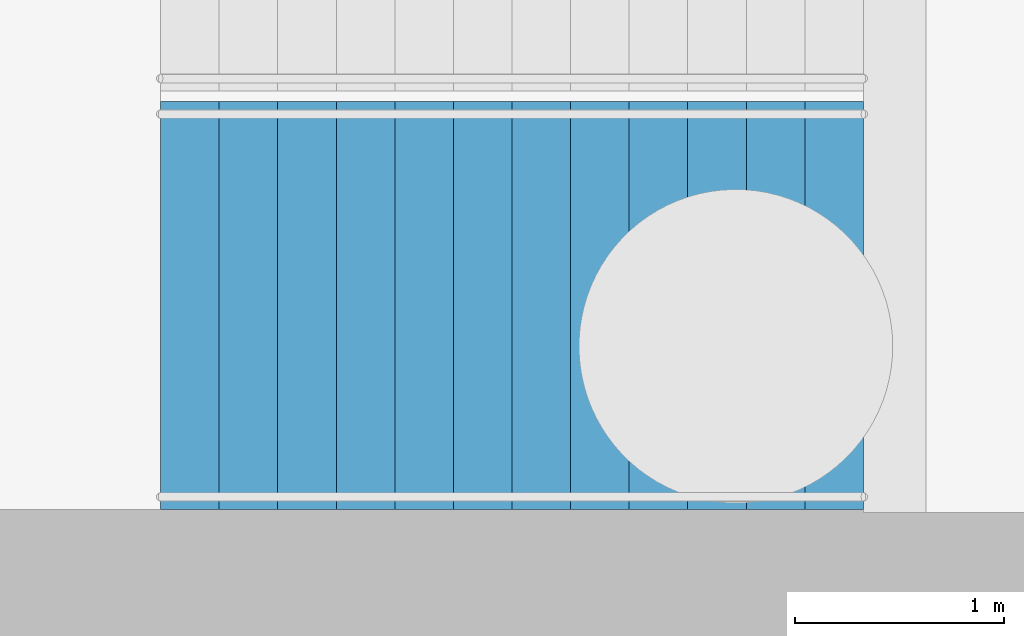
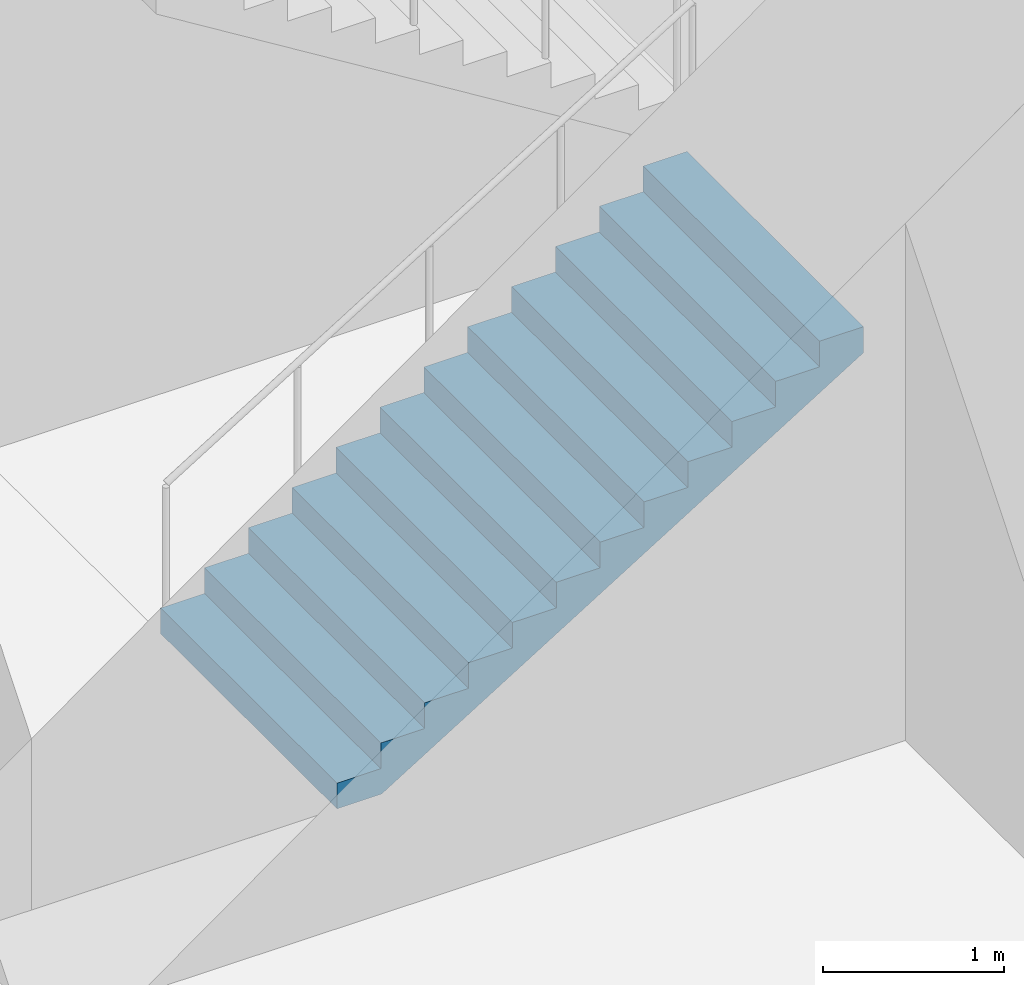
# One storey, part 9 of 28: 1 stair flight, 1 element without a shape of its own.
"""IFC4 building model written with IfcOpenShell, lengths in metres."""

from ifc_helpers import new_model, si_unit, direction, frame, origin, place, context, subcontext, project, spatial, triangles, material, type_object, element, aggregate, save


model = new_model("IFC4")

# Units and contexts
model_context = context("Model", 3, precision=1e-05, world=origin(), true_north=direction((0.0, 1.0)))
body_context = subcontext(model_context, "Body", "Model", "MODEL_VIEW")
ifc_project = project(units=[si_unit("LENGTHUNIT", "METRE"), si_unit("AREAUNIT", "SQUARE_METRE"), si_unit("VOLUMEUNIT", "CUBIC_METRE"), si_unit("PLANEANGLEUNIT", "RADIAN"), si_unit("MASSUNIT", "GRAM", prefix="KILO")], contexts=[model_context])

# Site, building, storey
site_placement = place(None, origin())
site = spatial("IfcSite", under=ifc_project, at=site_placement, CompositionType="ELEMENT")
building_placement = place(site_placement, origin())
building = spatial("IfcBuilding", under=site, at=building_placement, Name="Orbita Commons", CompositionType="ELEMENT")
storey_placement = place(building_placement, frame((0.0, 0.0, -9.0)))
storey = spatial("IfcBuildingStorey", under=building, at=storey_placement, Name="L-02", CompositionType="ELEMENT", Elevation=-9.0)

# Stair, stair flight
ifc_material_1 = material(Name="Precast concrete C40/50", Category="concrete")
stair_type = type_object("IfcStairType", Name="Exit stair S1 2 flights 13 risers 173", PredefinedType="HALF_TURN_STAIR", material=ifc_material_1)
stair_placement = place(storey_placement, origin())
stair = element("IfcStair", 1, at=stair_placement, inside=storey, type_object=stair_type, Name="Exit stair S1 L-02", PredefinedType="HALF_TURN_STAIR")
ifc_material_2 = material(Name="Precast concrete C40/50", Category="concrete")
stair_flight_type = type_object("IfcStairFlightType", Name="Stair flight 13 risers 173 x 280", PredefinedType="STRAIGHT", material=ifc_material_2)
stair_flight_placement = place(storey_placement, frame((20.449951171875, 27.27490234375, 0.0), z_axis=(0.0, 0.0, 1.0), x_axis=(1.0, 0.0, 0.0)))
stair_flight = element("IfcStairFlight", 2, at=stair_flight_placement, type_object=stair_flight_type, Name="S1 flight 1", NumberOfRisers=13, NumberOfTreads=12, PredefinedType="STRAIGHT", RiserHeight=0.173076923, TreadLength=0.28, context=body_context, shape_type="Tessellation", body=[
    triangles([(0.0, 0.974976, 0.0), (0.0, 0.974976, 0.021635), (0.0, 0.81248, 0.021635), (0.0, 0.81248, 0.0), (0.0, 0.649984, 0.021635), (0.0, 0.649984, 0.0), (0.0, 0.487488, 0.021635), (0.0, 0.487488, 0.0), (0.0, 0.324992, 0.021635), (0.0, 0.324992, 0.0), (0.0, 0.162496, 0.021635), (0.0, 0.162496, 0.0), (0.0, 0.0, 0.021635), (0.0, 0.0, 0.0), (0.0, -0.162496, 0.021635), (0.0, -0.162496, 0.0), (0.0, -0.324992, 0.021635), (0.0, -0.324992, 0.0), (0.0, -0.487488, 0.021635), (0.0, -0.487488, 0.0), (0.0, -0.649984, 0.021635), (0.0, -0.649984, 0.0), (0.0, -0.81248, 0.021635), (0.0, -0.81248, 0.0), (0.0, -0.974976, 0.021635), (0.0, -0.974976, 0.0), (0.0, 0.974976, 0.043269), (0.0, 0.81248, 0.043269), (0.0, 0.649984, 0.043269), (0.0, 0.487488, 0.043269), (0.0, 0.324992, 0.043269), (0.0, 0.162496, 0.043269), (0.0, 0.0, 0.043269), (0.0, -0.162496, 0.043269), (0.0, -0.324992, 0.043269), (0.0, -0.487488, 0.043269), (0.0, -0.649984, 0.043269), (0.0, -0.81248, 0.043269), (0.0, -0.974976, 0.043269), (0.0, 0.974976, 0.064904), (0.0, 0.81248, 0.064904), (0.0, 0.649984, 0.064904), (0.0, 0.487488, 0.064904), (0.0, 0.324992, 0.064904), (0.0, 0.162496, 0.064904), (0.0, 0.0, 0.064904), (0.0, -0.162496, 0.064904), (0.0, -0.324992, 0.064904), (0.0, -0.487488, 0.064904), (0.0, -0.649984, 0.064904), (0.0, -0.81248, 0.064904), (0.0, -0.974976, 0.064904), (0.0, 0.974976, 0.086538), (0.0, 0.81248, 0.086538), (0.0, 0.649984, 0.086538), (0.0, 0.487488, 0.086538), (0.0, 0.324992, 0.086538), (0.0, 0.162496, 0.086538), (0.0, 0.0, 0.086538), (0.0, -0.162496, 0.086538), (0.0, -0.324992, 0.086538), (0.0, -0.487488, 0.086538), (0.0, -0.649984, 0.086538), (0.0, -0.81248, 0.086538), (0.0, -0.974976, 0.086538), (0.0, 0.974976, 0.108173), (0.0, 0.81248, 0.108173), (0.0, 0.649984, 0.108173), (0.0, 0.487488, 0.108173), (0.0, 0.324992, 0.108173), (0.0, 0.162496, 0.108173), (0.0, 0.0, 0.108173), (0.0, -0.162496, 0.108173), (0.0, -0.324992, 0.108173), (0.0, -0.487488, 0.108173), (0.0, -0.649984, 0.108173), (0.0, -0.81248, 0.108173), (0.0, -0.974976, 0.108173), (0.0, 0.974976, 0.129808), (0.0, 0.81248, 0.129808), (0.0, 0.649984, 0.129808), (0.0, 0.487488, 0.129808), (0.0, 0.324992, 0.129808), (0.0, 0.162496, 0.129808), (0.0, 0.0, 0.129808), (0.0, -0.162496, 0.129808), (0.0, -0.324992, 0.129808), (0.0, -0.487488, 0.129808), (0.0, -0.649984, 0.129808), (0.0, -0.81248, 0.129808), (0.0, -0.974976, 0.129808), (0.0, 0.974976, 0.151442), (0.0, 0.81248, 0.151442), (0.0, 0.649984, 0.151442), (0.0, 0.487488, 0.151442), (0.0, 0.324992, 0.151442), (0.0, 0.162496, 0.151442), (0.0, 0.0, 0.151442), (0.0, -0.162496, 0.151442), (0.0, -0.324992, 0.151442), (0.0, -0.487488, 0.151442), (0.0, -0.649984, 0.151442), (0.0, -0.81248, 0.151442), (0.0, -0.974976, 0.151442), (0.0, 0.974976, 0.173077), (0.0, 0.81248, 0.173077), (0.0, 0.649984, 0.173077), (0.0, 0.487488, 0.173077), (0.0, 0.324992, 0.173077), (0.0, 0.162496, 0.173077), (0.0, 0.0, 0.173077), (0.0, -0.162496, 0.173077), (0.0, -0.324992, 0.173077), (0.0, -0.487488, 0.173077), (0.0, -0.649984, 0.173077), (0.0, -0.81248, 0.173077), (0.0, -0.974976, 0.173077), (0.28, 0.974976, 0.173077), (0.28, 0.81248, 0.173077), (0.28, 0.649984, 0.173077), (0.28, 0.487488, 0.173077), (0.28, 0.324992, 0.173077), (0.28, 0.162496, 0.173077), (0.28, 0.0, 0.173077), (0.28, -0.162496, 0.173077), (0.28, -0.324992, 0.173077), (0.28, -0.487488, 0.173077), (0.28, -0.649984, 0.173077), (0.28, -0.81248, 0.173077), (0.28, -0.974976, 0.173077), (0.28, 0.974976, 0.346154), (0.28, 0.81248, 0.346154), (0.28, 0.649984, 0.346154), (0.28, 0.487488, 0.346154), (0.28, 0.324992, 0.346154), (0.28, 0.162496, 0.346154), (0.28, 0.0, 0.346154), (0.28, -0.162496, 0.346154), (0.28, -0.324992, 0.346154), (0.28, -0.487488, 0.346154), (0.28, -0.649984, 0.346154), (0.28, -0.81248, 0.346154), (0.28, -0.974976, 0.346154), (0.56, 0.974976, 0.346154), (0.56, 0.81248, 0.346154), (0.56, 0.649984, 0.346154), (0.56, 0.487488, 0.346154), (0.56, 0.324992, 0.346154), (0.56, 0.162496, 0.346154), (0.56, 0.0, 0.346154), (0.56, -0.162496, 0.346154), (0.56, -0.324992, 0.346154), (0.56, -0.487488, 0.346154), (0.56, -0.649984, 0.346154), (0.56, -0.81248, 0.346154), (0.56, -0.974976, 0.346154), (0.56, 0.974976, 0.519231), (0.56, 0.81248, 0.519231), (0.56, 0.649984, 0.519231), (0.56, 0.487488, 0.519231), (0.56, 0.324992, 0.519231), (0.56, 0.162496, 0.519231), (0.56, 0.0, 0.519231), (0.56, -0.162496, 0.519231), (0.56, -0.324992, 0.519231), (0.56, -0.487488, 0.519231), (0.56, -0.649984, 0.519231), (0.56, -0.81248, 0.519231), (0.56, -0.974976, 0.519231), (0.84, 0.974976, 0.519231), (0.84, 0.81248, 0.519231), (0.84, 0.649984, 0.519231), (0.84, 0.487488, 0.519231), (0.84, 0.324992, 0.519231), (0.84, 0.162496, 0.519231), (0.84, 0.0, 0.519231), (0.84, -0.162496, 0.519231), (0.84, -0.324992, 0.519231), (0.84, -0.487488, 0.519231), (0.84, -0.649984, 0.519231), (0.84, -0.81248, 0.519231), (0.84, -0.974976, 0.519231), (0.84, 0.974976, 0.692308), (0.84, 0.81248, 0.692308), (0.84, 0.649984, 0.692308), (0.84, 0.487488, 0.692308), (0.84, 0.324992, 0.692308), (0.84, 0.162496, 0.692308), (0.84, 0.0, 0.692308), (0.84, -0.162496, 0.692308), (0.84, -0.324992, 0.692308), (0.84, -0.487488, 0.692308), (0.84, -0.649984, 0.692308), (0.84, -0.81248, 0.692308), (0.84, -0.974976, 0.692308), (1.12, 0.974976, 0.692308), (1.12, 0.81248, 0.692308), (1.12, 0.649984, 0.692308), (1.12, 0.487488, 0.692308), (1.12, 0.324992, 0.692308), (1.12, 0.162496, 0.692308), (1.12, 0.0, 0.692308), (1.12, -0.162496, 0.692308), (1.12, -0.324992, 0.692308), (1.12, -0.487488, 0.692308), (1.12, -0.649984, 0.692308), (1.12, -0.81248, 0.692308), (1.12, -0.974976, 0.692308), (1.12, 0.974976, 0.865385), (1.12, 0.81248, 0.865385), (1.12, 0.649984, 0.865385), (1.12, 0.487488, 0.865385), (1.12, 0.324992, 0.865385), (1.12, 0.162496, 0.865385), (1.12, 0.0, 0.865385), (1.12, -0.162496, 0.865385), (1.12, -0.324992, 0.865385), (1.12, -0.487488, 0.865385), (1.12, -0.649984, 0.865385), (1.12, -0.81248, 0.865385), (1.12, -0.974976, 0.865385), (1.4, 0.974976, 0.865385), (1.4, 0.81248, 0.865385), (1.4, 0.649984, 0.865385), (1.4, 0.487488, 0.865385), (1.4, 0.324992, 0.865385), (1.4, 0.162496, 0.865385), (1.4, 0.0, 0.865385), (1.4, -0.162496, 0.865385), (1.4, -0.324992, 0.865385), (1.4, -0.487488, 0.865385), (1.4, -0.649984, 0.865385), (1.4, -0.81248, 0.865385), (1.4, -0.974976, 0.865385), (1.4, 0.974976, 1.038462), (1.4, 0.81248, 1.038462), (1.4, 0.649984, 1.038462), (1.4, 0.487488, 1.038462), (1.4, 0.324992, 1.038462), (1.4, 0.162496, 1.038462), (1.4, 0.0, 1.038462), (1.4, -0.162496, 1.038462), (1.4, -0.324992, 1.038462), (1.4, -0.487488, 1.038462), (1.4, -0.649984, 1.038462), (1.4, -0.81248, 1.038462), (1.4, -0.974976, 1.038462), (1.68, 0.974976, 1.038462), (1.68, 0.81248, 1.038462), (1.68, 0.649984, 1.038462), (1.68, 0.487488, 1.038462), (1.68, 0.324992, 1.038462), (1.68, 0.162496, 1.038462), (1.68, 0.0, 1.038462), (1.68, -0.162496, 1.038462), (1.68, -0.324992, 1.038462), (1.68, -0.487488, 1.038462), (1.68, -0.649984, 1.038462), (1.68, -0.81248, 1.038462), (1.68, -0.974976, 1.038462), (1.68, 0.974976, 1.211538), (1.68, 0.81248, 1.211538), (1.68, 0.649984, 1.211538), (1.68, 0.487488, 1.211538), (1.68, 0.324992, 1.211538), (1.68, 0.162496, 1.211538), (1.68, 0.0, 1.211538), (1.68, -0.162496, 1.211538), (1.68, -0.324992, 1.211538), (1.68, -0.487488, 1.211538), (1.68, -0.649984, 1.211538), (1.68, -0.81248, 1.211538), (1.68, -0.974976, 1.211538), (1.96, 0.974976, 1.211538), (1.96, 0.81248, 1.211538), (1.96, 0.649984, 1.211538), (1.96, 0.487488, 1.211538), (1.96, 0.324992, 1.211538), (1.96, 0.162496, 1.211538), (1.96, 0.0, 1.211538), (1.96, -0.162496, 1.211538), (1.96, -0.324992, 1.211538), (1.96, -0.487488, 1.211538), (1.96, -0.649984, 1.211538), (1.96, -0.81248, 1.211538), (1.96, -0.974976, 1.211538), (1.96, 0.974976, 1.384615), (1.96, 0.81248, 1.384615), (1.96, 0.649984, 1.384615), (1.96, 0.487488, 1.384615), (1.96, 0.324992, 1.384615), (1.96, 0.162496, 1.384615), (1.96, 0.0, 1.384615), (1.96, -0.162496, 1.384615), (1.96, -0.324992, 1.384615), (1.96, -0.487488, 1.384615), (1.96, -0.649984, 1.384615), (1.96, -0.81248, 1.384615), (1.96, -0.974976, 1.384615), (2.24, 0.974976, 1.384615), (2.24, 0.81248, 1.384615), (2.24, 0.649984, 1.384615), (2.24, 0.487488, 1.384615), (2.24, 0.324992, 1.384615), (2.24, 0.162496, 1.384615), (2.24, 0.0, 1.384615), (2.24, -0.162496, 1.384615), (2.24, -0.324992, 1.384615), (2.24, -0.487488, 1.384615), (2.24, -0.649984, 1.384615), (2.24, -0.81248, 1.384615), (2.24, -0.974976, 1.384615), (2.24, 0.974976, 1.557692), (2.24, 0.81248, 1.557692), (2.24, 0.649984, 1.557692), (2.24, 0.487488, 1.557692), (2.24, 0.324992, 1.557692), (2.24, 0.162496, 1.557692), (2.24, 0.0, 1.557692), (2.24, -0.162496, 1.557692), (2.24, -0.324992, 1.557692), (2.24, -0.487488, 1.557692), (2.24, -0.649984, 1.557692), (2.24, -0.81248, 1.557692), (2.24, -0.974976, 1.557692), (2.52, 0.974976, 1.557692), (2.52, 0.81248, 1.557692), (2.52, 0.649984, 1.557692), (2.52, 0.487488, 1.557692), (2.52, 0.324992, 1.557692), (2.52, 0.162496, 1.557692), (2.52, 0.0, 1.557692), (2.52, -0.162496, 1.557692), (2.52, -0.324992, 1.557692), (2.52, -0.487488, 1.557692), (2.52, -0.649984, 1.557692), (2.52, -0.81248, 1.557692), (2.52, -0.974976, 1.557692), (2.52, 0.974976, 1.730769), (2.52, 0.81248, 1.730769), (2.52, 0.649984, 1.730769), (2.52, 0.487488, 1.730769), (2.52, 0.324992, 1.730769), (2.52, 0.162496, 1.730769), (2.52, 0.0, 1.730769), (2.52, -0.162496, 1.730769), (2.52, -0.324992, 1.730769), (2.52, -0.487488, 1.730769), (2.52, -0.649984, 1.730769), (2.52, -0.81248, 1.730769), (2.52, -0.974976, 1.730769), (2.8, 0.974976, 1.730769), (2.8, 0.81248, 1.730769), (2.8, 0.649984, 1.730769), (2.8, 0.487488, 1.730769), (2.8, 0.324992, 1.730769), (2.8, 0.162496, 1.730769), (2.8, 0.0, 1.730769), (2.8, -0.162496, 1.730769), (2.8, -0.324992, 1.730769), (2.8, -0.487488, 1.730769), (2.8, -0.649984, 1.730769), (2.8, -0.81248, 1.730769), (2.8, -0.974976, 1.730769), (2.8, 0.974976, 1.903846), (2.8, 0.81248, 1.903846), (2.8, 0.649984, 1.903846), (2.8, 0.487488, 1.903846), (2.8, 0.324992, 1.903846), (2.8, 0.162496, 1.903846), (2.8, 0.0, 1.903846), (2.8, -0.162496, 1.903846), (2.8, -0.324992, 1.903846), (2.8, -0.487488, 1.903846), (2.8, -0.649984, 1.903846), (2.8, -0.81248, 1.903846), (2.8, -0.974976, 1.903846), (3.08, 0.974976, 1.903846), (3.08, 0.81248, 1.903846), (3.08, 0.649984, 1.903846), (3.08, 0.487488, 1.903846), (3.08, 0.324992, 1.903846), (3.08, 0.162496, 1.903846), (3.08, 0.0, 1.903846), (3.08, -0.162496, 1.903846), (3.08, -0.324992, 1.903846), (3.08, -0.487488, 1.903846), (3.08, -0.649984, 1.903846), (3.08, -0.81248, 1.903846), (3.08, -0.974976, 1.903846), (3.08, 0.974976, 2.076923), (3.08, 0.81248, 2.076923), (3.08, 0.649984, 2.076923), (3.08, 0.487488, 2.076923), (3.08, 0.324992, 2.076923), (3.08, 0.162496, 2.076923), (3.08, 0.0, 2.076923), (3.08, -0.162496, 2.076923), (3.08, -0.324992, 2.076923), (3.08, -0.487488, 2.076923), (3.08, -0.649984, 2.076923), (3.08, -0.81248, 2.076923), (3.08, -0.974976, 2.076923), (3.36, 0.974976, 2.076923), (3.36, 0.81248, 2.076923), (3.36, 0.649984, 2.076923), (3.36, 0.487488, 2.076923), (3.36, 0.324992, 2.076923), (3.36, 0.162496, 2.076923), (3.36, 0.0, 2.076923), (3.36, -0.162496, 2.076923), (3.36, -0.324992, 2.076923), (3.36, -0.487488, 2.076923), (3.36, -0.649984, 2.076923), (3.36, -0.81248, 2.076923), (3.36, -0.974976, 2.076923), (3.36, 0.974976, 2.054895), (3.36, 0.81248, 2.054895), (3.36, 0.649984, 2.054895), (3.36, 0.487488, 2.054895), (3.36, 0.324992, 2.054895), (3.36, 0.162496, 2.054895), (3.36, 0.0, 2.054895), (3.36, -0.162496, 2.054895), (3.36, -0.324992, 2.054895), (3.36, -0.487488, 2.054895), (3.36, -0.649984, 2.054895), (3.36, -0.81248, 2.054895), (3.36, -0.974976, 2.054895), (3.36, 0.974976, 2.032866), (3.36, 0.81248, 2.032866), (3.36, 0.649984, 2.032866), (3.36, 0.487488, 2.032866), (3.36, 0.324992, 2.032866), (3.36, 0.162496, 2.032866), (3.36, 0.0, 2.032866), (3.36, -0.162496, 2.032866), (3.36, -0.324992, 2.032866), (3.36, -0.487488, 2.032866), (3.36, -0.649984, 2.032866), (3.36, -0.81248, 2.032866), (3.36, -0.974976, 2.032866), (3.36, 0.974976, 2.010837), (3.36, 0.81248, 2.010837), (3.36, 0.649984, 2.010837), (3.36, 0.487488, 2.010837), (3.36, 0.324992, 2.010837), (3.36, 0.162496, 2.010837), (3.36, 0.0, 2.010837), (3.36, -0.162496, 2.010837), (3.36, -0.324992, 2.010837), (3.36, -0.487488, 2.010837), (3.36, -0.649984, 2.010837), (3.36, -0.81248, 2.010837), (3.36, -0.974976, 2.010837), (3.36, 0.974976, 1.988809), (3.36, 0.81248, 1.988809), (3.36, 0.649984, 1.988809), (3.36, 0.487488, 1.988809), (3.36, 0.324992, 1.988809), (3.36, 0.162496, 1.988809), (3.36, 0.0, 1.988809), (3.36, -0.162496, 1.988809), (3.36, -0.324992, 1.988809), (3.36, -0.487488, 1.988809), (3.36, -0.649984, 1.988809), (3.36, -0.81248, 1.988809), (3.36, -0.974976, 1.988809), (3.36, 0.974976, 1.96678), (3.36, 0.81248, 1.96678), (3.36, 0.649984, 1.96678), (3.36, 0.487488, 1.96678), (3.36, 0.324992, 1.96678), (3.36, 0.162496, 1.96678), (3.36, 0.0, 1.96678), (3.36, -0.162496, 1.96678), (3.36, -0.324992, 1.96678), (3.36, -0.487488, 1.96678), (3.36, -0.649984, 1.96678), (3.36, -0.81248, 1.96678), (3.36, -0.974976, 1.96678), (3.36, 0.974976, 1.944752), (3.36, 0.81248, 1.944752), (3.36, 0.649984, 1.944752), (3.36, 0.487488, 1.944752), (3.36, 0.324992, 1.944752), (3.36, 0.162496, 1.944752), (3.36, 0.0, 1.944752), (3.36, -0.162496, 1.944752), (3.36, -0.324992, 1.944752), (3.36, -0.487488, 1.944752), (3.36, -0.649984, 1.944752), (3.36, -0.81248, 1.944752), (3.36, -0.974976, 1.944752), (3.36, 0.974976, 1.922723), (3.36, 0.81248, 1.922723), (3.36, 0.649984, 1.922723), (3.36, 0.487488, 1.922723), (3.36, 0.324992, 1.922723), (3.36, 0.162496, 1.922723), (3.36, 0.0, 1.922723), (3.36, -0.162496, 1.922723), (3.36, -0.324992, 1.922723), (3.36, -0.487488, 1.922723), (3.36, -0.649984, 1.922723), (3.36, -0.81248, 1.922723), (3.36, -0.974976, 1.922723), (3.36, 0.974976, 1.900695), (3.36, 0.81248, 1.900695), (3.36, 0.649984, 1.900695), (3.36, 0.487488, 1.900695), (3.36, 0.324992, 1.900695), (3.36, 0.162496, 1.900695), (3.36, 0.0, 1.900695), (3.36, -0.162496, 1.900695), (3.36, -0.324992, 1.900695), (3.36, -0.487488, 1.900695), (3.36, -0.649984, 1.900695), (3.36, -0.81248, 1.900695), (3.36, -0.974976, 1.900695), (0.285099, 0.974976, 0.0), (0.285099, 0.81248, 0.0), (0.285099, 0.649984, 0.0), (0.285099, 0.487488, 0.0), (0.285099, 0.324992, 0.0), (0.285099, 0.162496, 0.0), (0.285099, 0.0, 0.0), (0.285099, -0.162496, 0.0), (0.285099, -0.324992, 0.0), (0.285099, -0.487488, 0.0), (0.285099, -0.649984, 0.0), (0.285099, -0.81248, 0.0), (0.285099, -0.974976, 0.0)], [[3, 2, 1], [4, 3, 1], [5, 3, 4], [6, 5, 4], [7, 5, 6], [8, 7, 6], [9, 7, 8], [10, 9, 8], [11, 9, 10], [12, 11, 10], [13, 11, 12], [14, 13, 12], [15, 13, 14], [16, 15, 14], [17, 15, 16], [18, 17, 16], [19, 17, 18], [20, 19, 18], [21, 19, 20], [22, 21, 20], [23, 21, 22], [24, 23, 22], [25, 23, 24], [26, 25, 24], [28, 27, 2], [3, 28, 2], [29, 28, 3], [5, 29, 3], [30, 29, 5], [7, 30, 5], [31, 30, 7], [9, 31, 7], [32, 31, 9], [11, 32, 9], [33, 32, 11], [13, 33, 11], [34, 33, 13], [15, 34, 13], [35, 34, 15], [17, 35, 15], [36, 35, 17], [19, 36, 17], [37, 36, 19], [21, 37, 19], [38, 37, 21], [23, 38, 21], [39, 38, 23], [25, 39, 23], [41, 40, 27], [28, 41, 27], [42, 41, 28], [29, 42, 28], [43, 42, 29], [30, 43, 29], [44, 43, 30], [31, 44, 30], [45, 44, 31], [32, 45, 31], [46, 45, 32], [33, 46, 32], [47, 46, 33], [34, 47, 33], [48, 47, 34], [35, 48, 34], [49, 48, 35], [36, 49, 35], [50, 49, 36], [37, 50, 36], [51, 50, 37], [38, 51, 37], [52, 51, 38], [39, 52, 38], [54, 53, 40], [41, 54, 40], [55, 54, 41], [42, 55, 41], [56, 55, 42], [43, 56, 42], [57, 56, 43], [44, 57, 43], [58, 57, 44], [45, 58, 44], [59, 58, 45], [46, 59, 45], [60, 59, 46], [47, 60, 46], [61, 60, 47], [48, 61, 47], [62, 61, 48], [49, 62, 48], [63, 62, 49], [50, 63, 49], [64, 63, 50], [51, 64, 50], [65, 64, 51], [52, 65, 51], [67, 66, 53], [54, 67, 53], [68, 67, 54], [55, 68, 54], [69, 68, 55], [56, 69, 55], [70, 69, 56], [57, 70, 56], [71, 70, 57], [58, 71, 57], [72, 71, 58], [59, 72, 58], [73, 72, 59], [60, 73, 59], [74, 73, 60], [61, 74, 60], [75, 74, 61], [62, 75, 61], [76, 75, 62], [63, 76, 62], [77, 76, 63], [64, 77, 63], [78, 77, 64], [65, 78, 64], [80, 79, 66], [67, 80, 66], [81, 80, 67], [68, 81, 67], [82, 81, 68], [69, 82, 68], [83, 82, 69], [70, 83, 69], [84, 83, 70], [71, 84, 70], [85, 84, 71], [72, 85, 71], [86, 85, 72], [73, 86, 72], [87, 86, 73], [74, 87, 73], [88, 87, 74], [75, 88, 74], [89, 88, 75], [76, 89, 75], [90, 89, 76], [77, 90, 76], [91, 90, 77], [78, 91, 77], [93, 92, 79], [80, 93, 79], [94, 93, 80], [81, 94, 80], [95, 94, 81], [82, 95, 81], [96, 95, 82], [83, 96, 82], [97, 96, 83], [84, 97, 83], [98, 97, 84], [85, 98, 84], [99, 98, 85], [86, 99, 85], [100, 99, 86], [87, 100, 86], [101, 100, 87], [88, 101, 87], [102, 101, 88], [89, 102, 88], [103, 102, 89], [90, 103, 89], [104, 103, 90], [91, 104, 90], [106, 105, 92], [93, 106, 92], [107, 106, 93], [94, 107, 93], [108, 107, 94], [95, 108, 94], [109, 108, 95], [96, 109, 95], [110, 109, 96], [97, 110, 96], [111, 110, 97], [98, 111, 97], [112, 111, 98], [99, 112, 98], [113, 112, 99], [100, 113, 99], [114, 113, 100], [101, 114, 100], [115, 114, 101], [102, 115, 101], [116, 115, 102], [103, 116, 102], [117, 116, 103], [104, 117, 103], [119, 118, 105], [106, 119, 105], [120, 119, 106], [107, 120, 106], [121, 120, 107], [108, 121, 107], [122, 121, 108], [109, 122, 108], [123, 122, 109], [110, 123, 109], [124, 123, 110], [111, 124, 110], [125, 124, 111], [112, 125, 111], [126, 125, 112], [113, 126, 112], [127, 126, 113], [114, 127, 113], [128, 127, 114], [115, 128, 114], [129, 128, 115], [116, 129, 115], [130, 129, 116], [117, 130, 116], [132, 131, 118], [119, 132, 118], [133, 132, 119], [120, 133, 119], [134, 133, 120], [121, 134, 120], [135, 134, 121], [122, 135, 121], [136, 135, 122], [123, 136, 122], [137, 136, 123], [124, 137, 123], [138, 137, 124], [125, 138, 124], [139, 138, 125], [126, 139, 125], [140, 139, 126], [127, 140, 126], [141, 140, 127], [128, 141, 127], [142, 141, 128], [129, 142, 128], [143, 142, 129], [130, 143, 129], [145, 144, 131], [132, 145, 131], [146, 145, 132], [133, 146, 132], [147, 146, 133], [134, 147, 133], [148, 147, 134], [135, 148, 134], [149, 148, 135], [136, 149, 135], [150, 149, 136], [137, 150, 136], [151, 150, 137], [138, 151, 137], [152, 151, 138], [139, 152, 138], [153, 152, 139], [140, 153, 139], [154, 153, 140], [141, 154, 140], [155, 154, 141], [142, 155, 141], [156, 155, 142], [143, 156, 142], [158, 157, 144], [145, 158, 144], [159, 158, 145], [146, 159, 145], [160, 159, 146], [147, 160, 146], [161, 160, 147], [148, 161, 147], [162, 161, 148], [149, 162, 148], [163, 162, 149], [150, 163, 149], [164, 163, 150], [151, 164, 150], [165, 164, 151], [152, 165, 151], [166, 165, 152], [153, 166, 152], [167, 166, 153], [154, 167, 153], [168, 167, 154], [155, 168, 154], [169, 168, 155], [156, 169, 155], [171, 170, 157], [158, 171, 157], [172, 171, 158], [159, 172, 158], [173, 172, 159], [160, 173, 159], [174, 173, 160], [161, 174, 160], [175, 174, 161], [162, 175, 161], [176, 175, 162], [163, 176, 162], [177, 176, 163], [164, 177, 163], [178, 177, 164], [165, 178, 164], [179, 178, 165], [166, 179, 165], [180, 179, 166], [167, 180, 166], [181, 180, 167], [168, 181, 167], [182, 181, 168], [169, 182, 168], [184, 183, 170], [171, 184, 170], [185, 184, 171], [172, 185, 171], [186, 185, 172], [173, 186, 172], [187, 186, 173], [174, 187, 173], [188, 187, 174], [175, 188, 174], [189, 188, 175], [176, 189, 175], [190, 189, 176], [177, 190, 176], [191, 190, 177], [178, 191, 177], [192, 191, 178], [179, 192, 178], [193, 192, 179], [180, 193, 179], [194, 193, 180], [181, 194, 180], [195, 194, 181], [182, 195, 181], [197, 196, 183], [184, 197, 183], [198, 197, 184], [185, 198, 184], [199, 198, 185], [186, 199, 185], [200, 199, 186], [187, 200, 186], [201, 200, 187], [188, 201, 187], [202, 201, 188], [189, 202, 188], [203, 202, 189], [190, 203, 189], [204, 203, 190], [191, 204, 190], [205, 204, 191], [192, 205, 191], [206, 205, 192], [193, 206, 192], [207, 206, 193], [194, 207, 193], [208, 207, 194], [195, 208, 194], [210, 209, 196], [197, 210, 196], [211, 210, 197], [198, 211, 197], [212, 211, 198], [199, 212, 198], [213, 212, 199], [200, 213, 199], [214, 213, 200], [201, 214, 200], [215, 214, 201], [202, 215, 201], [216, 215, 202], [203, 216, 202], [217, 216, 203], [204, 217, 203], [218, 217, 204], [205, 218, 204], [219, 218, 205], [206, 219, 205], [220, 219, 206], [207, 220, 206], [221, 220, 207], [208, 221, 207], [223, 222, 209], [210, 223, 209], [224, 223, 210], [211, 224, 210], [225, 224, 211], [212, 225, 211], [226, 225, 212], [213, 226, 212], [227, 226, 213], [214, 227, 213], [228, 227, 214], [215, 228, 214], [229, 228, 215], [216, 229, 215], [230, 229, 216], [217, 230, 216], [231, 230, 217], [218, 231, 217], [232, 231, 218], [219, 232, 218], [233, 232, 219], [220, 233, 219], [234, 233, 220], [221, 234, 220], [236, 235, 222], [223, 236, 222], [237, 236, 223], [224, 237, 223], [238, 237, 224], [225, 238, 224], [239, 238, 225], [226, 239, 225], [240, 239, 226], [227, 240, 226], [241, 240, 227], [228, 241, 227], [242, 241, 228], [229, 242, 228], [243, 242, 229], [230, 243, 229], [244, 243, 230], [231, 244, 230], [245, 244, 231], [232, 245, 231], [246, 245, 232], [233, 246, 232], [247, 246, 233], [234, 247, 233], [249, 248, 235], [236, 249, 235], [250, 249, 236], [237, 250, 236], [251, 250, 237], [238, 251, 237], [252, 251, 238], [239, 252, 238], [253, 252, 239], [240, 253, 239], [254, 253, 240], [241, 254, 240], [255, 254, 241], [242, 255, 241], [256, 255, 242], [243, 256, 242], [257, 256, 243], [244, 257, 243], [258, 257, 244], [245, 258, 244], [259, 258, 245], [246, 259, 245], [260, 259, 246], [247, 260, 246], [262, 261, 248], [249, 262, 248], [263, 262, 249], [250, 263, 249], [264, 263, 250], [251, 264, 250], [265, 264, 251], [252, 265, 251], [266, 265, 252], [253, 266, 252], [267, 266, 253], [254, 267, 253], [268, 267, 254], [255, 268, 254], [269, 268, 255], [256, 269, 255], [270, 269, 256], [257, 270, 256], [271, 270, 257], [258, 271, 257], [272, 271, 258], [259, 272, 258], [273, 272, 259], [260, 273, 259], [275, 274, 261], [262, 275, 261], [276, 275, 262], [263, 276, 262], [277, 276, 263], [264, 277, 263], [278, 277, 264], [265, 278, 264], [279, 278, 265], [266, 279, 265], [280, 279, 266], [267, 280, 266], [281, 280, 267], [268, 281, 267], [282, 281, 268], [269, 282, 268], [283, 282, 269], [270, 283, 269], [284, 283, 270], [271, 284, 270], [285, 284, 271], [272, 285, 271], [286, 285, 272], [273, 286, 272], [288, 287, 274], [275, 288, 274], [289, 288, 275], [276, 289, 275], [290, 289, 276], [277, 290, 276], [291, 290, 277], [278, 291, 277], [292, 291, 278], [279, 292, 278], [293, 292, 279], [280, 293, 279], [294, 293, 280], [281, 294, 280], [295, 294, 281], [282, 295, 281], [296, 295, 282], [283, 296, 282], [297, 296, 283], [284, 297, 283], [298, 297, 284], [285, 298, 284], [299, 298, 285], [286, 299, 285], [301, 300, 287], [288, 301, 287], [302, 301, 288], [289, 302, 288], [303, 302, 289], [290, 303, 289], [304, 303, 290], [291, 304, 290], [305, 304, 291], [292, 305, 291], [306, 305, 292], [293, 306, 292], [307, 306, 293], [294, 307, 293], [308, 307, 294], [295, 308, 294], [309, 308, 295], [296, 309, 295], [310, 309, 296], [297, 310, 296], [311, 310, 297], [298, 311, 297], [312, 311, 298], [299, 312, 298], [314, 313, 300], [301, 314, 300], [315, 314, 301], [302, 315, 301], [316, 315, 302], [303, 316, 302], [317, 316, 303], [304, 317, 303], [318, 317, 304], [305, 318, 304], [319, 318, 305], [306, 319, 305], [320, 319, 306], [307, 320, 306], [321, 320, 307], [308, 321, 307], [322, 321, 308], [309, 322, 308], [323, 322, 309], [310, 323, 309], [324, 323, 310], [311, 324, 310], [325, 324, 311], [312, 325, 311], [327, 326, 313], [314, 327, 313], [328, 327, 314], [315, 328, 314], [329, 328, 315], [316, 329, 315], [330, 329, 316], [317, 330, 316], [331, 330, 317], [318, 331, 317], [332, 331, 318], [319, 332, 318], [333, 332, 319], [320, 333, 319], [334, 333, 320], [321, 334, 320], [335, 334, 321], [322, 335, 321], [336, 335, 322], [323, 336, 322], [337, 336, 323], [324, 337, 323], [338, 337, 324], [325, 338, 324], [340, 339, 326], [327, 340, 326], [341, 340, 327], [328, 341, 327], [342, 341, 328], [329, 342, 328], [343, 342, 329], [330, 343, 329], [344, 343, 330], [331, 344, 330], [345, 344, 331], [332, 345, 331], [346, 345, 332], [333, 346, 332], [347, 346, 333], [334, 347, 333], [348, 347, 334], [335, 348, 334], [349, 348, 335], [336, 349, 335], [350, 349, 336], [337, 350, 336], [351, 350, 337], [338, 351, 337], [353, 352, 339], [340, 353, 339], [354, 353, 340], [341, 354, 340], [355, 354, 341], [342, 355, 341], [356, 355, 342], [343, 356, 342], [357, 356, 343], [344, 357, 343], [358, 357, 344], [345, 358, 344], [359, 358, 345], [346, 359, 345], [360, 359, 346], [347, 360, 346], [361, 360, 347], [348, 361, 347], [362, 361, 348], [349, 362, 348], [363, 362, 349], [350, 363, 349], [364, 363, 350], [351, 364, 350], [366, 365, 352], [353, 366, 352], [367, 366, 353], [354, 367, 353], [368, 367, 354], [355, 368, 354], [369, 368, 355], [356, 369, 355], [370, 369, 356], [357, 370, 356], [371, 370, 357], [358, 371, 357], [372, 371, 358], [359, 372, 358], [373, 372, 359], [360, 373, 359], [374, 373, 360], [361, 374, 360], [375, 374, 361], [362, 375, 361], [376, 375, 362], [363, 376, 362], [377, 376, 363], [364, 377, 363], [379, 378, 365], [366, 379, 365], [380, 379, 366], [367, 380, 366], [381, 380, 367], [368, 381, 367], [382, 381, 368], [369, 382, 368], [383, 382, 369], [370, 383, 369], [384, 383, 370], [371, 384, 370], [385, 384, 371], [372, 385, 371], [386, 385, 372], [373, 386, 372], [387, 386, 373], [374, 387, 373], [388, 387, 374], [375, 388, 374], [389, 388, 375], [376, 389, 375], [390, 389, 376], [377, 390, 376], [392, 391, 378], [379, 392, 378], [393, 392, 379], [380, 393, 379], [394, 393, 380], [381, 394, 380], [395, 394, 381], [382, 395, 381], [396, 395, 382], [383, 396, 382], [397, 396, 383], [384, 397, 383], [398, 397, 384], [385, 398, 384], [399, 398, 385], [386, 399, 385], [400, 399, 386], [387, 400, 386], [401, 400, 387], [388, 401, 387], [402, 401, 388], [389, 402, 388], [403, 402, 389], [390, 403, 389], [405, 404, 391], [392, 405, 391], [406, 405, 392], [393, 406, 392], [407, 406, 393], [394, 407, 393], [408, 407, 394], [395, 408, 394], [409, 408, 395], [396, 409, 395], [410, 409, 396], [397, 410, 396], [411, 410, 397], [398, 411, 397], [412, 411, 398], [399, 412, 398], [413, 412, 399], [400, 413, 399], [414, 413, 400], [401, 414, 400], [415, 414, 401], [402, 415, 401], [416, 415, 402], [403, 416, 402], [418, 417, 404], [405, 418, 404], [419, 418, 405], [406, 419, 405], [420, 419, 406], [407, 420, 406], [421, 420, 407], [408, 421, 407], [422, 421, 408], [409, 422, 408], [423, 422, 409], [410, 423, 409], [424, 423, 410], [411, 424, 410], [425, 424, 411], [412, 425, 411], [426, 425, 412], [413, 426, 412], [427, 426, 413], [414, 427, 413], [428, 427, 414], [415, 428, 414], [429, 428, 415], [416, 429, 415], [431, 430, 417], [418, 431, 417], [432, 431, 418], [419, 432, 418], [433, 432, 419], [420, 433, 419], [434, 433, 420], [421, 434, 420], [435, 434, 421], [422, 435, 421], [436, 435, 422], [423, 436, 422], [437, 436, 423], [424, 437, 423], [438, 437, 424], [425, 438, 424], [439, 438, 425], [426, 439, 425], [440, 439, 426], [427, 440, 426], [441, 440, 427], [428, 441, 427], [442, 441, 428], [429, 442, 428], [444, 443, 430], [431, 444, 430], [445, 444, 431], [432, 445, 431], [446, 445, 432], [433, 446, 432], [447, 446, 433], [434, 447, 433], [448, 447, 434], [435, 448, 434], [449, 448, 435], [436, 449, 435], [450, 449, 436], [437, 450, 436], [451, 450, 437], [438, 451, 437], [452, 451, 438], [439, 452, 438], [453, 452, 439], [440, 453, 439], [454, 453, 440], [441, 454, 440], [455, 454, 441], [442, 455, 441], [457, 456, 443], [444, 457, 443], [458, 457, 444], [445, 458, 444], [459, 458, 445], [446, 459, 445], [460, 459, 446], [447, 460, 446], [461, 460, 447], [448, 461, 447], [462, 461, 448], [449, 462, 448], [463, 462, 449], [450, 463, 449], [464, 463, 450], [451, 464, 450], [465, 464, 451], [452, 465, 451], [466, 465, 452], [453, 466, 452], [467, 466, 453], [454, 467, 453], [468, 467, 454], [455, 468, 454], [470, 469, 456], [457, 470, 456], [471, 470, 457], [458, 471, 457], [472, 471, 458], [459, 472, 458], [473, 472, 459], [460, 473, 459], [474, 473, 460], [461, 474, 460], [475, 474, 461], [462, 475, 461], [476, 475, 462], [463, 476, 462], [477, 476, 463], [464, 477, 463], [478, 477, 464], [465, 478, 464], [479, 478, 465], [466, 479, 465], [480, 479, 466], [467, 480, 466], [481, 480, 467], [468, 481, 467], [483, 482, 469], [470, 483, 469], [484, 483, 470], [471, 484, 470], [485, 484, 471], [472, 485, 471], [486, 485, 472], [473, 486, 472], [487, 486, 473], [474, 487, 473], [488, 487, 474], [475, 488, 474], [489, 488, 475], [476, 489, 475], [490, 489, 476], [477, 490, 476], [491, 490, 477], [478, 491, 477], [492, 491, 478], [479, 492, 478], [493, 492, 479], [480, 493, 479], [494, 493, 480], [481, 494, 480], [496, 495, 482], [483, 496, 482], [497, 496, 483], [484, 497, 483], [498, 497, 484], [485, 498, 484], [499, 498, 485], [486, 499, 485], [500, 499, 486], [487, 500, 486], [501, 500, 487], [488, 501, 487], [502, 501, 488], [489, 502, 488], [503, 502, 489], [490, 503, 489], [504, 503, 490], [491, 504, 490], [505, 504, 491], [492, 505, 491], [506, 505, 492], [493, 506, 492], [507, 506, 493], [494, 507, 493], [509, 508, 495], [496, 509, 495], [510, 509, 496], [497, 510, 496], [511, 510, 497], [498, 511, 497], [512, 511, 498], [499, 512, 498], [513, 512, 499], [500, 513, 499], [514, 513, 500], [501, 514, 500], [515, 514, 501], [502, 515, 501], [516, 515, 502], [503, 516, 502], [517, 516, 503], [504, 517, 503], [518, 517, 504], [505, 518, 504], [519, 518, 505], [506, 519, 505], [520, 519, 506], [507, 520, 506], [522, 521, 508], [509, 522, 508], [523, 522, 509], [510, 523, 509], [524, 523, 510], [511, 524, 510], [525, 524, 511], [512, 525, 511], [526, 525, 512], [513, 526, 512], [527, 526, 513], [514, 527, 513], [528, 527, 514], [515, 528, 514], [529, 528, 515], [516, 529, 515], [530, 529, 516], [517, 530, 516], [531, 530, 517], [518, 531, 517], [532, 531, 518], [519, 532, 518], [533, 532, 519], [520, 533, 519], [4, 1, 521], [522, 4, 521], [6, 4, 522], [523, 6, 522], [8, 6, 523], [524, 8, 523], [10, 8, 524], [525, 10, 524], [12, 10, 525], [526, 12, 525], [14, 12, 526], [527, 14, 526], [16, 14, 527], [528, 16, 527], [18, 16, 528], [529, 18, 528], [20, 18, 529], [530, 20, 529], [22, 20, 530], [531, 22, 530], [24, 22, 531], [532, 24, 531], [26, 24, 532], [533, 26, 532], [508, 521, 1], [26, 533, 520], [495, 508, 1], [26, 520, 507], [482, 495, 1], [26, 507, 494], [469, 482, 1], [26, 494, 481], [456, 469, 1], [26, 481, 468], [443, 456, 1], [26, 468, 455], [430, 443, 1], [26, 455, 442], [417, 430, 1], [26, 442, 429], [391, 404, 417], [429, 416, 403], [378, 391, 417], [429, 403, 390], [352, 365, 378], [390, 377, 364], [352, 378, 417], [429, 390, 364], [326, 339, 352], [364, 351, 338], [326, 352, 417], [429, 364, 338], [300, 313, 326], [338, 325, 312], [300, 326, 417], [429, 338, 312], [274, 287, 300], [312, 299, 286], [274, 300, 417], [429, 312, 286], [248, 261, 274], [286, 273, 260], [248, 274, 417], [429, 286, 260], [222, 235, 248], [260, 247, 234], [222, 248, 417], [429, 260, 234], [196, 209, 222], [234, 221, 208], [196, 222, 417], [429, 234, 208], [170, 183, 196], [208, 195, 182], [170, 196, 417], [429, 208, 182], [144, 157, 170], [182, 169, 156], [144, 170, 417], [429, 182, 156], [118, 131, 144], [156, 143, 130], [118, 144, 417], [429, 156, 130], [118, 417, 1], [26, 429, 130], [92, 105, 118], [130, 117, 104], [79, 92, 118], [130, 104, 91], [66, 79, 118], [130, 91, 78], [53, 66, 118], [130, 78, 65], [40, 53, 118], [130, 65, 52], [27, 40, 118], [130, 52, 39], [2, 27, 118], [130, 39, 25], [1, 2, 118], [130, 25, 26]], closed=True),
])
aggregate(stair, [stair_flight])

save(model, "model.ifc")
